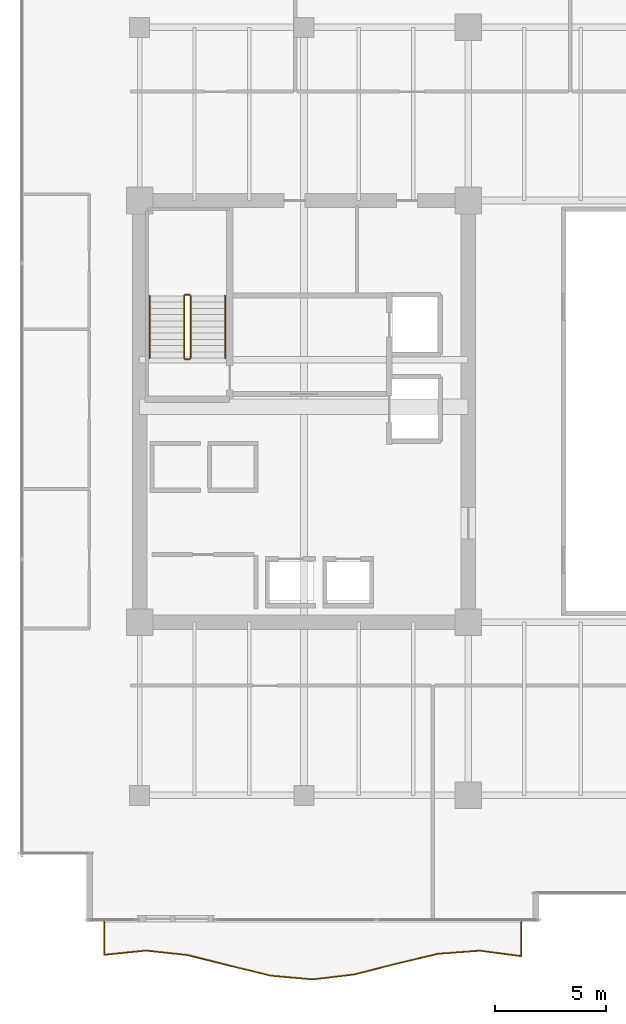
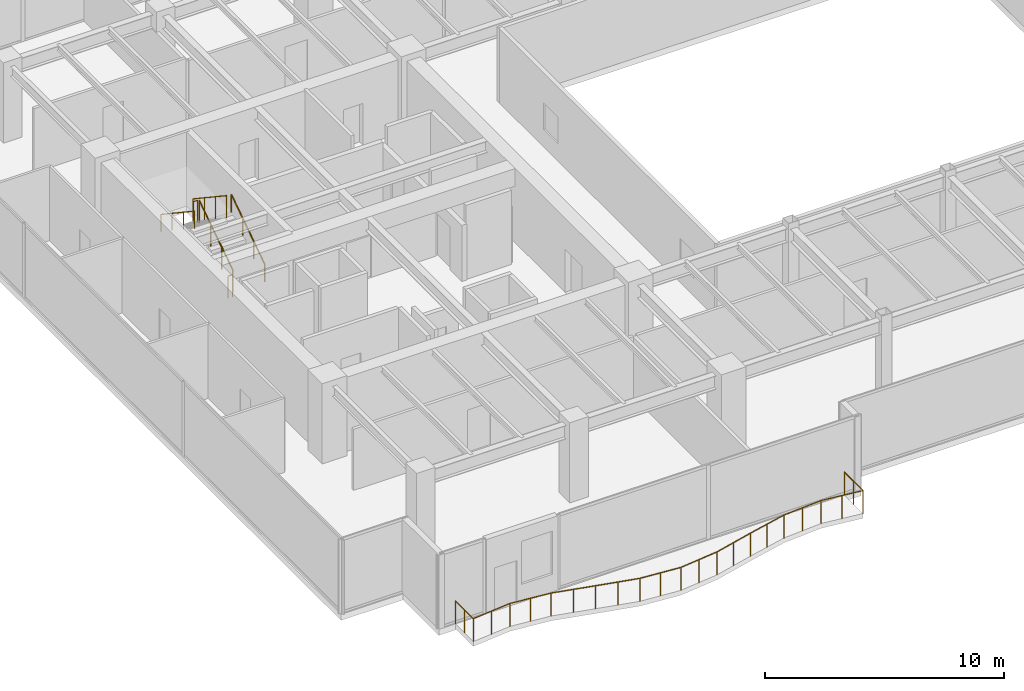
# One storey, part 28 of 30: 7 railings.
"""IFC4 building model written with IfcOpenShell, lengths in metres."""

from ifc_helpers import new_model, si_unit, direction, frame, origin, origin_2d, place, context, subcontext, project, spatial, circle, extrude, source, transform, mapped, material, type_object, type_shapes, element, save


model = new_model("IFC4")

# Units and contexts
model_context = context("Model", 3, precision=1e-05, world=origin(), true_north=direction((0.0, 1.0)))
body_context = subcontext(model_context, "Body", "Model", "MODEL_VIEW")
ifc_project = project(units=[si_unit("LENGTHUNIT", "METRE"), si_unit("AREAUNIT", "SQUARE_METRE"), si_unit("VOLUMEUNIT", "CUBIC_METRE"), si_unit("PLANEANGLEUNIT", "RADIAN"), si_unit("MASSUNIT", "GRAM", prefix="KILO")], contexts=[model_context])

# Site, building, storey
site_placement = place(None, origin())
site = spatial("IfcSite", under=ifc_project, at=site_placement, CompositionType="ELEMENT")
building_placement = place(site_placement, origin())
building = spatial("IfcBuilding", under=site, at=building_placement, Name="Haelvirn Gate Laboratories", CompositionType="ELEMENT")
storey_placement = place(building_placement, frame((0.0, 0.0, 113.300048828125)))
storey = spatial("IfcBuildingStorey", under=building, at=storey_placement, Name="L27", CompositionType="ELEMENT", Elevation=113.300048828125)

# Railings
ifc_material_1 = material(Name="Laminated safety glass & bronze stainless steel 316L", Category="steel")
railing_type_1 = type_object("IfcRailingType", Name="RLG-BAL-1200", PredefinedType="BALUSTRADE", material=ifc_material_1)
shared_shape_1 = source(origin(), body_context, "Body", "SweptSolid", [
    extrude(circle(Radius=0.02392578125, at=origin_2d()), frame((0.0, 0.0, 1.17578125), z_axis=(0.0, -1.0, 0.0), x_axis=(1.0, 0.0, 0.0)), (0.0, 0.0, 1.0), 1.490478515625),
    extrude(circle(Radius=0.02392578125, at=origin_2d()), frame((0.0, -1.490478515625, 1.17578125), z_axis=(0.994908438237, 0.100782932705, 0.0), x_axis=(-0.100782932705, 0.994908438237, 0.0)), (0.0, 0.0, 1.0), 1.889404296875),
    extrude(circle(Radius=0.02392578125, at=origin_2d()), frame((1.8798828125, -1.300048828125, 1.17578125), z_axis=(0.994269522275, -0.106902371698, 0.0), x_axis=(0.106902371698, 0.994269522275, 0.0)), (0.0, 0.0, 1.0), 1.890869140625),
    extrude(circle(Radius=0.02392578125, at=origin_2d()), frame((3.760009765625, -1.502197265625, 1.17578125), z_axis=(0.969815635384, -0.243839359754, 0.0), x_axis=(0.243839359754, 0.969815635384, 0.0)), (0.0, 0.0, 1.0), 1.9384765625),
    extrude(circle(Radius=0.02392578125, at=origin_2d()), frame((5.639892578125, -1.974853515625, 1.17578125), z_axis=(0.971644887849, -0.23644494479, 0.0), x_axis=(0.23644494479, 0.971644887849, 0.0)), (0.0, 0.0, 1.0), 1.93505859375),
    extrude(circle(Radius=0.02392578125, at=origin_2d()), frame((7.52001953125, -2.432373046875, 1.17578125), z_axis=(0.996111840185, -0.088097683528, 0.0), x_axis=(0.088097683528, 0.996111840185, 0.0)), (0.0, 0.0, 1.0), 1.88720703125),
    extrude(circle(Radius=0.02392578125, at=origin_2d()), frame((9.39990234375, -2.5986328125, 1.17578125), z_axis=(0.992893910559, 0.119002867088, 0.0), x_axis=(-0.119002867088, 0.992893910559, 0.0)), (0.0, 0.0, 1.0), 1.8935546875),
    extrude(circle(Radius=0.02392578125, at=origin_2d()), frame((11.280029296875, -2.373291015625, 1.17578125), z_axis=(0.968765460354, 0.247978795111, 0.0), x_axis=(-0.247978795111, 0.968765460354, 0.0)), (0.0, 0.0, 1.0), 1.9404296875),
    extrude(circle(Radius=0.02392578125, at=origin_2d()), frame((13.159912109375, -1.89208984375, 1.17578125), z_axis=(0.972992976677, 0.230834718658, 0.0), x_axis=(-0.230834718658, 0.972992976677, 0.0)), (0.0, 0.0, 1.0), 1.932373046875),
    extrude(circle(Radius=0.02392578125, at=origin_2d()), frame((15.0400390625, -1.446044921875, 1.17578125), z_axis=(0.997175111878, 0.075111891544, 0.0), x_axis=(-0.075111891544, 0.997175111878, 0.0)), (0.0, 0.0, 1.0), 1.88525390625),
    extrude(circle(Radius=0.02392578125, at=origin_2d()), frame((16.919921875, -1.304443359375, 1.17578125), z_axis=(0.991409103519, -0.130797513203, 0.0), x_axis=(0.130797513203, 0.991409103519, 0.0)), (0.0, 0.0, 1.0), 1.896484375),
    extrude(circle(Radius=0.02392578125, at=origin_2d()), frame((18.800048828125, -1.552490234375, 1.17578125), z_axis=(0.0, 1.0, 0.0), x_axis=(-1.0, 0.0, 0.0)), (0.0, 0.0, 1.0), 1.552490234375),
    extrude(circle(Radius=0.02099609375, at=origin_2d()), origin(), (0.0, 0.0, 1.0), 1.15185546875),
    extrude(circle(Radius=0.02099609375, at=origin_2d()), frame((0.0, -0.7451171875, 0.0)), (0.0, 0.0, 1.0), 1.15185546875),
    extrude(circle(Radius=0.02099609375, at=origin_2d()), frame((0.0, -1.490478515625, 0.0)), (0.0, 0.0, 1.0), 1.15185546875),
    extrude(circle(Radius=0.02099609375, at=origin_2d()), frame((0.93994140625, -1.395263671875, 0.0)), (0.0, 0.0, 1.0), 1.15185546875),
    extrude(circle(Radius=0.02099609375, at=origin_2d()), frame((1.8798828125, -1.300048828125, 0.0)), (0.0, 0.0, 1.0), 1.15185546875),
    extrude(circle(Radius=0.02099609375, at=origin_2d()), frame((2.81982421875, -1.401123046875, 0.0)), (0.0, 0.0, 1.0), 1.15185546875),
    extrude(circle(Radius=0.02099609375, at=origin_2d()), frame((3.760009765625, -1.502197265625, 0.0)), (0.0, 0.0, 1.0), 1.15185546875),
    extrude(circle(Radius=0.02099609375, at=origin_2d()), frame((4.699951171875, -1.738525390625, 0.0)), (0.0, 0.0, 1.0), 1.15185546875),
    extrude(circle(Radius=0.02099609375, at=origin_2d()), frame((5.639892578125, -1.974853515625, 0.0)), (0.0, 0.0, 1.0), 1.15185546875),
    extrude(circle(Radius=0.02099609375, at=origin_2d()), frame((6.580078125, -2.20361328125, 0.0)), (0.0, 0.0, 1.0), 1.15185546875),
    extrude(circle(Radius=0.02099609375, at=origin_2d()), frame((7.52001953125, -2.432373046875, 0.0)), (0.0, 0.0, 1.0), 1.15185546875),
    extrude(circle(Radius=0.02099609375, at=origin_2d()), frame((8.4599609375, -2.515625, 0.0)), (0.0, 0.0, 1.0), 1.15185546875),
    extrude(circle(Radius=0.02099609375, at=origin_2d()), frame((9.39990234375, -2.5986328125, 0.0)), (0.0, 0.0, 1.0), 1.15185546875),
    extrude(circle(Radius=0.02099609375, at=origin_2d()), frame((10.33984375, -2.48583984375, 0.0)), (0.0, 0.0, 1.0), 1.15185546875),
    extrude(circle(Radius=0.02099609375, at=origin_2d()), frame((11.280029296875, -2.373291015625, 0.0)), (0.0, 0.0, 1.0), 1.15185546875),
    extrude(circle(Radius=0.02099609375, at=origin_2d()), frame((12.219970703125, -2.1328125, 0.0)), (0.0, 0.0, 1.0), 1.15185546875),
    extrude(circle(Radius=0.02099609375, at=origin_2d()), frame((13.159912109375, -1.89208984375, 0.0)), (0.0, 0.0, 1.0), 1.15185546875),
    extrude(circle(Radius=0.02099609375, at=origin_2d()), frame((14.10009765625, -1.6689453125, 0.0)), (0.0, 0.0, 1.0), 1.15185546875),
    extrude(circle(Radius=0.02099609375, at=origin_2d()), frame((15.0400390625, -1.446044921875, 0.0)), (0.0, 0.0, 1.0), 1.15185546875),
    extrude(circle(Radius=0.02099609375, at=origin_2d()), frame((15.97998046875, -1.375244140625, 0.0)), (0.0, 0.0, 1.0), 1.15185546875),
    extrude(circle(Radius=0.02099609375, at=origin_2d()), frame((16.919921875, -1.304443359375, 0.0)), (0.0, 0.0, 1.0), 1.15185546875),
    extrude(circle(Radius=0.02099609375, at=origin_2d()), frame((17.85986328125, -1.428466796875, 0.0)), (0.0, 0.0, 1.0), 1.15185546875),
    extrude(circle(Radius=0.02099609375, at=origin_2d()), frame((18.800048828125, -1.552490234375, 0.0)), (0.0, 0.0, 1.0), 1.15185546875),
    extrude(circle(Radius=0.02099609375, at=origin_2d()), frame((18.800048828125, -0.7763671875, 0.0)), (0.0, 0.0, 1.0), 1.15185546875),
    extrude(circle(Radius=0.02099609375, at=origin_2d()), frame((18.800048828125, 0.0, 0.0)), (0.0, 0.0, 1.0), 1.15185546875),
])
type_shapes(railing_type_1, [shared_shape_1])
railing_1_placement = place(storey_placement, frame((5.800048828125, 1.300048828125, 0.0)))
element("IfcRailing", 1, at=railing_1_placement, inside=storey, type_object=railing_type_1, Name="L27 Wave Balcony Balustrade WL-S", PredefinedType="BALUSTRADE", context=body_context, shape_type="MappedRepresentation", body=[
    mapped(shared_shape_1, transform((0.0, 0.0, 0.0), scale=1.0)),
])
ifc_material_2 = material(Name="Galvanised steel SM355 & stainless top rail", Category="steel")
railing_type_2 = type_object("IfcRailingType", Name="RL-GUARD-1150", PredefinedType="GUARDRAIL", material=ifc_material_2)
shared_shape_2 = source(origin(), body_context, "Body", "SweptSolid", [
    extrude(circle(Radius=0.02392578125, at=origin_2d()), frame((0.0, 0.0, 1.1259765625), z_axis=(-1.0, 0.0, 0.0), x_axis=(0.0, -1.0, 0.0)), (0.0, 0.0, 1.0), 0.199951171875),
    extrude(circle(Radius=0.02099609375, at=origin_2d()), origin(), (0.0, 0.0, 1.0), 1.101806640625),
    extrude(circle(Radius=0.02099609375, at=origin_2d()), frame((-0.199951171875, 0.0, 0.0)), (0.0, 0.0, 1.0), 1.101806640625),
])
for number, where, name in (
    (2, (9.64990234375, 29.550048828125, 2.050048828125), "L27 ST1 stair guard 2"),
    (3, (9.64990234375, 26.64990234375, 0.0), "L27 ST1 stair guard 4"),
):
    element("IfcRailing", number, at=place(storey_placement, frame(where)), inside=storey, type_object=railing_type_2, Name=name, PredefinedType="GUARDRAIL", context=body_context, shape_type="MappedRepresentation", body=[
        mapped(shared_shape_2, transform((0.0, 0.0, 0.0), scale=1.0)),
    ])
shared_shape_3 = source(origin(), body_context, "Body", "SweptSolid", [
    extrude(circle(Radius=0.02392578125, at=origin_2d()), frame((0.0, 0.0, 1.1259765625), z_axis=(0.0, 0.832452072856, 0.554097055034), x_axis=(-1.0, 0.0, 0.0)), (0.0, 0.0, 1.0), 3.363525390625),
    extrude(circle(Radius=0.02099609375, at=origin_2d()), origin(), (0.0, 0.0, 1.0), 1.101806640625),
    extrude(circle(Radius=0.02099609375, at=origin_2d()), frame((0.0, 0.933349609375, 0.621337890625)), (0.0, 0.0, 1.0), 1.101806640625),
    extrude(circle(Radius=0.02099609375, at=origin_2d()), frame((0.0, 1.86669921875, 1.242431640625)), (0.0, 0.0, 1.0), 1.101806640625),
    extrude(circle(Radius=0.02099609375, at=origin_2d()), frame((0.0, 2.800048828125, 1.86376953125)), (0.0, 0.0, 1.0), 1.101806640625),
])
railing_2_placement = place(storey_placement, frame((9.699951171875, 26.699951171875, 0.186279296875)))
element("IfcRailing", 4, at=railing_2_placement, inside=storey, type_object=railing_type_2, Name="L27 ST1 stair guard 1", PredefinedType="GUARDRAIL", context=body_context, shape_type="MappedRepresentation", body=[
    mapped(shared_shape_3, transform((0.0, 0.0, 0.0), scale=1.0)),
])
shared_shape_4 = source(origin(), body_context, "Body", "SweptSolid", [
    extrude(circle(Radius=0.02392578125, at=origin_2d()), frame((0.0, 0.0, 1.1259765625), z_axis=(0.0, -0.832485552168, 0.554046753832), x_axis=(1.0, 0.0, 0.0)), (0.0, 0.0, 1.0), 3.363525390625),
    extrude(circle(Radius=0.02099609375, at=origin_2d()), origin(), (0.0, 0.0, 1.0), 1.101806640625),
    extrude(circle(Radius=0.02099609375, at=origin_2d()), frame((0.0, -0.933349609375, 0.62109375)), (0.0, 0.0, 1.0), 1.101806640625),
    extrude(circle(Radius=0.02099609375, at=origin_2d()), frame((0.0, -1.86669921875, 1.242431640625)), (0.0, 0.0, 1.0), 1.101806640625),
    extrude(circle(Radius=0.02099609375, at=origin_2d()), frame((0.0, -2.800048828125, 1.863525390625)), (0.0, 0.0, 1.0), 1.101806640625),
])
type_shapes(railing_type_2, [shared_shape_2, shared_shape_3, shared_shape_4])
railing_3_placement = place(storey_placement, frame((9.39990234375, 29.5, 2.236328125)))
element("IfcRailing", 5, at=railing_3_placement, inside=storey, type_object=railing_type_2, Name="L27 ST1 stair guard 3", PredefinedType="GUARDRAIL", context=body_context, shape_type="MappedRepresentation", body=[
    mapped(shared_shape_4, transform((0.0, 0.0, 0.0), scale=1.0)),
])
ifc_material_3 = material(Name="Brushed stainless steel 316L", Category="steel")
railing_type_3 = type_object("IfcRailingType", Name="RL-HAND-920", PredefinedType="HANDRAIL", material=ifc_material_3)
shared_shape_5 = source(origin(), body_context, "Body", "SweptSolid", [
    extrude(circle(Radius=0.02392578125, at=origin_2d()), frame((0.0, 0.0, 0.8759765625), z_axis=(0.0, 0.832452072856, 0.554097055034), x_axis=(-1.0, 0.0, 0.0)), (0.0, 0.0, 1.0), 3.363525390625),
    extrude(circle(Radius=0.02099609375, at=origin_2d()), origin(), (0.0, 0.0, 1.0), 0.851806640625),
    extrude(circle(Radius=0.02099609375, at=origin_2d()), frame((0.0, 0.933349609375, 0.621337890625)), (0.0, 0.0, 1.0), 0.851806640625),
    extrude(circle(Radius=0.02099609375, at=origin_2d()), frame((0.0, 1.86669921875, 1.242431640625)), (0.0, 0.0, 1.0), 0.851806640625),
    extrude(circle(Radius=0.02099609375, at=origin_2d()), frame((0.0, 2.800048828125, 1.86376953125)), (0.0, 0.0, 1.0), 0.851806640625),
])
railing_4_placement = place(storey_placement, frame((11.25, 26.699951171875, 0.186279296875)))
element("IfcRailing", 6, at=railing_4_placement, inside=storey, type_object=railing_type_3, Name="L27 ST1 stair handrail 1", PredefinedType="HANDRAIL", context=body_context, shape_type="MappedRepresentation", body=[
    mapped(shared_shape_5, transform((0.0, 0.0, 0.0), scale=1.0)),
])
shared_shape_6 = source(origin(), body_context, "Body", "SweptSolid", [
    extrude(circle(Radius=0.02392578125, at=origin_2d()), frame((0.0, 0.0, 0.8759765625), z_axis=(0.0, -0.832485552168, 0.554046753832), x_axis=(1.0, 0.0, 0.0)), (0.0, 0.0, 1.0), 3.363525390625),
    extrude(circle(Radius=0.02099609375, at=origin_2d()), origin(), (0.0, 0.0, 1.0), 0.851806640625),
    extrude(circle(Radius=0.02099609375, at=origin_2d()), frame((0.0, -0.933349609375, 0.62109375)), (0.0, 0.0, 1.0), 0.851806640625),
    extrude(circle(Radius=0.02099609375, at=origin_2d()), frame((0.0, -1.86669921875, 1.242431640625)), (0.0, 0.0, 1.0), 0.851806640625),
    extrude(circle(Radius=0.02099609375, at=origin_2d()), frame((0.0, -2.800048828125, 1.863525390625)), (0.0, 0.0, 1.0), 0.851806640625),
])
type_shapes(railing_type_3, [shared_shape_5, shared_shape_6])
railing_5_placement = place(storey_placement, frame((7.85009765625, 29.5, 2.236328125)))
element("IfcRailing", 7, at=railing_5_placement, inside=storey, type_object=railing_type_3, Name="L27 ST1 stair handrail 2", PredefinedType="HANDRAIL", context=body_context, shape_type="MappedRepresentation", body=[
    mapped(shared_shape_6, transform((0.0, 0.0, 0.0), scale=1.0)),
])

save(model, "model.ifc")
